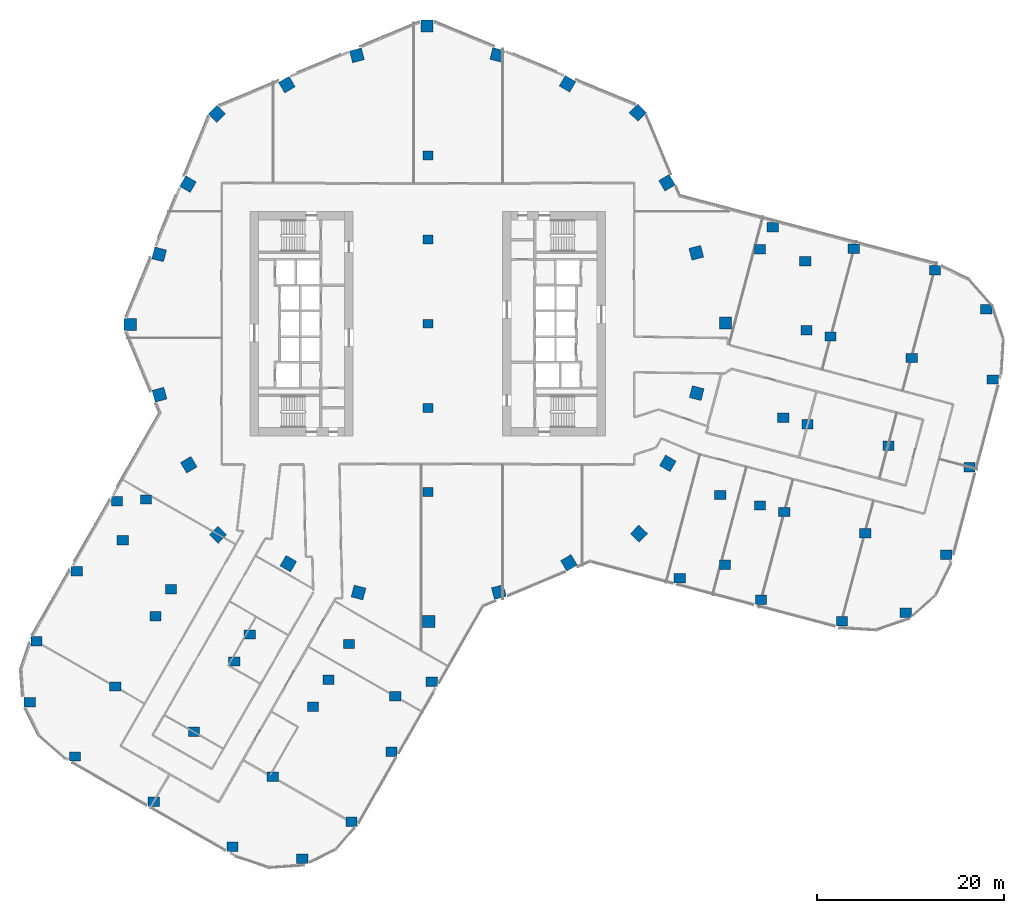
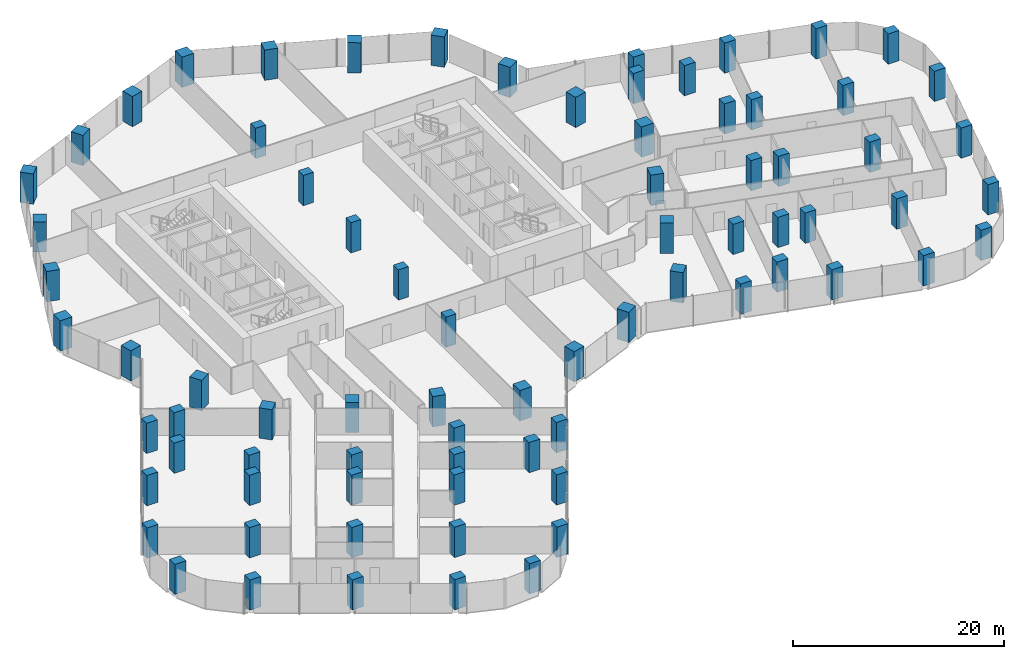
# One storey, part 1 of 34: 77 columns.
"""IFC4 building model written with IfcOpenShell, lengths in metres."""

from ifc_helpers import new_model, si_unit, direction, frame, origin, origin_2d, place, context, subcontext, project, spatial, rectangle, extrude, material, material_profile, profile_set, type_object, element, save


model = new_model("IFC4")

# Units and contexts
model_context = context("Model", 3, precision=1e-05, world=origin(), true_north=direction((0.0, 1.0)))
body_context = subcontext(model_context, "Body", "Model", "MODEL_VIEW")
ifc_project = project(units=[si_unit("LENGTHUNIT", "METRE"), si_unit("AREAUNIT", "SQUARE_METRE"), si_unit("VOLUMEUNIT", "CUBIC_METRE"), si_unit("PLANEANGLEUNIT", "RADIAN"), si_unit("MASSUNIT", "GRAM", prefix="KILO")], contexts=[model_context])

# Site, building, storey
site_placement = place(None, origin())
site = spatial("IfcSite", under=ifc_project, at=site_placement, CompositionType="ELEMENT")
building_placement = place(site_placement, origin())
building = spatial("IfcBuilding", under=site, at=building_placement, Name="Orlundy Tower", CompositionType="ELEMENT")
storey_placement = place(building_placement, frame((0.0, 0.0, 109.199951171875)))
storey = spatial("IfcBuildingStorey", under=building, at=storey_placement, Name="L27", CompositionType="ELEMENT", Elevation=109.199951171875)

# Columns
ifc_material_1 = material(Name="Concrete C80/95", Category="concrete")
ifc_material_profile_1 = material_profile(ifc_material_1, rectangle(XDim=1.10009765625, YDim=0.949951171875, at=origin_2d()), Name="RC1100X950")
ifc_profile_set_1 = profile_set([ifc_material_profile_1], Name="Concrete C80/95")
column_type_1 = type_object("IfcColumnType", Name="RC COLUMN RC1100X950 C80/95", PredefinedType="COLUMN", material=ifc_profile_set_1)
for number, where, z_axis, x_axis, name in (
    (1, (0.0, -18.0, 0.0), (0.0, 0.0, 1.0), (1.0, 0.0, 0.0), "Column C-M1 L27"),
    (2, (0.0, -9.0, 0.0), (0.0, 0.0, 1.0), (1.0, 0.0, 0.0), "Column C-M2 L27"),
    (3, (0.0, 0.0, 0.0), (0.0, 0.0, 1.0), (1.0, 0.0, 0.0), "Column C-M3 L27"),
    (4, (0.0, 9.0, 0.0), (0.0, 0.0, 1.0), (1.0, 0.0, 0.0), "Column C-M4 L27"),
    (5, (0.0, 18.0, 0.0), (0.0, 0.0, 1.0), (1.0, 0.0, 0.0), "Column C-M5 L27"),
):
    element("IfcColumn", number, at=place(storey_placement, frame(where, z_axis=z_axis, x_axis=x_axis)), inside=storey, type_object=column_type_1, Name=name, PredefinedType="COLUMN", context=body_context, shape_type="SweptSolid", body=[
        extrude(rectangle(XDim=1.10009765625, YDim=0.949951171875, at=origin_2d()), origin(), (0.0, 0.0, 1.0), 3.5),
    ])
ifc_material_2 = material(Name="Concrete C80/95", Category="concrete")
ifc_material_profile_2 = material_profile(ifc_material_2, rectangle(XDim=1.199951171875, YDim=1.0, at=origin_2d()), Name="RC1200X1000")
ifc_profile_set_2 = profile_set([ifc_material_profile_2], Name="Concrete C80/95")
column_type_2 = type_object("IfcColumnType", Name="RC COLUMN RC1200X1000 C80/95", PredefinedType="COLUMN", material=ifc_profile_set_2)
for number, where, z_axis, x_axis, name in (
    (6, (26.93408203125, -27.201904296875, 0.0), (0.0, 0.0, 1.0), (1.0, 0.0, 0.0), "Column C-A1-1 L27"),
    (7, (35.60205078125, -29.4970703125, 0.0), (0.0, 0.0, 1.0), (1.0, 0.0, 0.0), "Column C-A1-2 L27"),
    (8, (44.26904296875, -31.79296875, 0.0), (0.0, 0.0, 1.0), (1.0, 0.0, 0.0), "Column C-A1-3 L27"),
    (9, (51.0849609375, -30.90087890625, 0.0), (0.0, 0.0, 1.0), (1.0, 0.0, 0.0), "Column C-A1-5 L27"),
    (10, (31.7509765625, -25.781005859375, 0.0), (0.0, 0.0, 1.0), (1.0, 0.0, 0.0), "Column C-A1-6 L27"),
    (11, (38.0849609375, -20.12109375, 0.0), (0.0, 0.0, 1.0), (1.0, 0.0, 0.0), "Column C-A2-2 L27"),
    (12, (46.7529296875, -22.416015625, 0.0), (0.0, 0.0, 1.0), (1.0, 0.0, 0.0), "Column C-A2-3 L27"),
    (13, (55.4208984375, -24.7119140625, 0.0), (0.0, 0.0, 1.0), (1.0, 0.0, 0.0), "Column C-A2-5 L27"),
    (14, (35.507080078125, -19.43798828125, 0.0), (0.0, 0.0, 1.0), (1.0, 0.0, 0.0), "Column C-A2-6 L27"),
    (15, (31.25390625, -18.31103515625, 0.0), (0.0, 0.0, 1.0), (1.0, 0.0, 0.0), "Column C-A2-7 L27"),
    (16, (40.568115234375, -10.743896484375, 0.0), (0.0, 0.0, 1.0), (1.0, 0.0, 0.0), "Column C-A3-2 L27"),
    (17, (49.236083984375, -13.0390625, 0.0), (0.0, 0.0, 1.0), (1.0, 0.0, 0.0), "Column C-A3-3 L27"),
    (18, (57.904052734375, -15.3349609375, 0.0), (0.0, 0.0, 1.0), (1.0, 0.0, 0.0), "Column C-A3-5 L27"),
    (19, (37.989990234375, -10.06103515625, 0.0), (0.0, 0.0, 1.0), (1.0, 0.0, 0.0), "Column C-A3-6 L27"),
    (20, (43.051025390625, -1.366943359375, 0.0), (0.0, 0.0, 1.0), (1.0, 0.0, 0.0), "Column C-A4-2 L27"),
    (21, (51.718994140625, -3.6630859375, 0.0), (0.0, 0.0, 1.0), (1.0, 0.0, 0.0), "Column C-A4-3 L27"),
    (22, (60.386962890625, -5.9580078125, 0.0), (0.0, 0.0, 1.0), (1.0, 0.0, 0.0), "Column C-A4-5 L27"),
    (23, (40.47412109375, -0.68408203125, 0.0), (0.0, 0.0, 1.0), (1.0, 0.0, 0.0), "Column C-A4-6 L27"),
    (24, (36.866943359375, 10.304931640625, 0.0), (0.0, 0.0, 1.0), (1.0, 0.0, 0.0), "Column C-A5-1 L27"),
    (25, (45.534912109375, 8.010009765625, 0.0), (0.0, 0.0, 1.0), (1.0, 0.0, 0.0), "Column C-A5-2 L27"),
    (26, (54.202880859375, 5.714111328125, 0.0), (0.0, 0.0, 1.0), (1.0, 0.0, 0.0), "Column C-A5-3 L27"),
    (27, (59.68310546875, 1.56591796875, 0.0), (0.0, 0.0, 1.0), (1.0, 0.0, 0.0), "Column C-A5-5 L27"),
    (28, (40.35009765625, 6.68603515625, 0.0), (0.0, 0.0, 1.0), (1.0, 0.0, 0.0), "Column C-A5-6 L27"),
    (29, (35.51611328125, 7.966064453125, 0.0), (0.0, 0.0, 1.0), (1.0, 0.0, 0.0), "Column C-A5-7 L27"),
    (30, (-33.24609375, -18.97607421875, 0.0), (0.0, 0.0, 1.0), (1.0, 0.0, 0.0), "Column C-B1-1 L27"),
    (31, (-37.541015625, -26.465087890625, 0.0), (0.0, 0.0, 1.0), (1.0, 0.0, 0.0), "Column C-B1-2 L27"),
    (32, (-41.83203125, -33.9560546875, 0.0), (0.0, 0.0, 1.0), (1.0, 0.0, 0.0), "Column C-B1-3 L27"),
    (33, (-42.572021484375, -40.47900390625, 0.0), (0.0, 0.0, 1.0), (1.0, 0.0, 0.0), "Column C-B1-5 L27"),
    (34, (-32.623046875, -23.12890625, 0.0), (0.0, 0.0, 1.0), (1.0, 0.0, 0.0), "Column C-B1-6 L27"),
    (35, (-30.135009765625, -18.7919921875, 0.0), (0.0, 0.0, 1.0), (1.0, 0.0, 0.0), "Column C-B1-7 L27"),
    (36, (-29.1259765625, -31.2900390625, 0.0), (0.0, 0.0, 1.0), (1.0, 0.0, 0.0), "Column C-B2-2 L27"),
    (37, (-33.4208984375, -38.780029296875, 0.0), (0.0, 0.0, 1.0), (1.0, 0.0, 0.0), "Column C-B2-3 L27"),
    (38, (-37.716064453125, -46.26904296875, 0.0), (0.0, 0.0, 1.0), (1.0, 0.0, 0.0), "Column C-B2-5 L27"),
    (39, (-27.468017578125, -28.39892578125, 0.0), (0.0, 0.0, 1.0), (1.0, 0.0, 0.0), "Column C-B2-6 L27"),
    (40, (-20.7119140625, -36.115966796875, 0.0), (0.0, 0.0, 1.0), (1.0, 0.0, 0.0), "Column C-B3-2 L27"),
    (41, (-25.007080078125, -43.60498046875, 0.0), (0.0, 0.0, 1.0), (1.0, 0.0, 0.0), "Column C-B3-3 L27"),
    (42, (-29.301025390625, -51.093994140625, 0.0), (0.0, 0.0, 1.0), (1.0, 0.0, 0.0), "Column C-B3-5 L27"),
    (43, (-19.052978515625, -33.22412109375, 0.0), (0.0, 0.0, 1.0), (1.0, 0.0, 0.0), "Column C-B3-6 L27"),
    (44, (-12.297119140625, -40.94091796875, 0.0), (0.0, 0.0, 1.0), (1.0, 0.0, 0.0), "Column C-B4-2 L27"),
    (45, (-16.592041015625, -48.430908203125, 0.0), (0.0, 0.0, 1.0), (1.0, 0.0, 0.0), "Column C-B4-3 L27"),
    (46, (-20.886962890625, -55.919921875, 0.0), (0.0, 0.0, 1.0), (1.0, 0.0, 0.0), "Column C-B4-5 L27"),
    (47, (-10.638916015625, -38.050048828125, 0.0), (0.0, 0.0, 1.0), (1.0, 0.0, 0.0), "Column C-B4-6 L27"),
    (48, (-8.449951171875, -34.23291015625, 0.0), (0.0, 0.0, 1.0), (1.0, 0.0, 0.0), "Column C-B4-7 L27"),
    (49, (0.412109375, -38.278076171875, 0.0), (0.0, 0.0, 1.0), (1.0, 0.0, 0.0), "Column C-B5-1 L27"),
    (50, (-3.883056640625, -45.76708984375, 0.0), (0.0, 0.0, 1.0), (1.0, 0.0, 0.0), "Column C-B5-2 L27"),
    (51, (-8.180908203125, -53.25390625, 0.0), (0.0, 0.0, 1.0), (1.0, 0.0, 0.0), "Column C-B5-3 L27"),
    (52, (-13.43701171875, -57.18701171875, 0.0), (0.0, 0.0, 1.0), (1.0, 0.0, 0.0), "Column C-B5-5 L27"),
    (53, (-3.487060546875, -39.837890625, 0.0), (0.0, 0.0, 1.0), (1.0, 0.0, 0.0), "Column C-B5-6 L27"),
):
    element("IfcColumn", number, at=place(storey_placement, frame(where, z_axis=z_axis, x_axis=x_axis)), inside=storey, type_object=column_type_2, Name=name, PredefinedType="COLUMN", context=body_context, shape_type="SweptSolid", body=[
        extrude(rectangle(XDim=1.199951171875, YDim=1.0, at=origin_2d()), origin(), (0.0, 0.0, 1.0), 3.5),
    ])
ifc_material_3 = material(Name="Concrete C80/95", Category="concrete")
ifc_material_profile_3 = material_profile(ifc_material_3, rectangle(XDim=1.300048828125, YDim=1.300048828125, at=origin_2d()), Name="RC1300X1300")
ifc_profile_set_3 = profile_set([ifc_material_profile_3], Name="Concrete C80/95")
column_type_3 = type_object("IfcColumnType", Name="RC COLUMN RC1300X1300 C80/95", PredefinedType="COLUMN", material=ifc_profile_set_3)
for number, where, z_axis, x_axis, name in (
    (54, (22.43603515625, 22.56689453125, 0.0), (0.0, 0.0, 1.0), (0.705042776473, 0.709164778696, 0.0), "Column C-H01 L27"),
    (55, (25.56494140625, 15.075927734375, 0.0), (0.0, 0.0, 1.0), (0.86138102753, 0.507959373781, 0.0), "Column C-H02 L27"),
    (56, (28.694091796875, 7.583984375, 0.0), (0.0, 0.0, 1.0), (0.966801093075, 0.25553012822, 0.0), "Column C-H03 L27"),
    (57, (31.822021484375, 0.093017578125, 0.0), (0.0, 0.0, 1.0), (0.999995752265, 0.002914695724, 0.0), "Column C-H04 L27"),
    (58, (28.737060546875, -7.4169921875, 0.0), (0.0, 0.0, 1.0), (0.968269883519, -0.249906847984, 0.0), "Column C-H05 L27"),
    (59, (25.652099609375, -14.927001953125, 0.0), (0.0, 0.0, 1.0), (0.864318695434, -0.50294452251, 0.0), "Column C-H06 L27"),
    (60, (22.56689453125, -22.43603515625, 0.0), (0.0, 0.0, 1.0), (0.709164778696, -0.705042776473, 0.0), "Column C-H07 L27"),
    (61, (15.075927734375, -25.56494140625, 0.0), (0.0, 0.0, 1.0), (0.507959373781, -0.86138102753, 0.0), "Column C-H08 L27"),
    (62, (7.583984375, -28.694091796875, 0.0), (0.0, 0.0, 1.0), (0.25553012822, -0.966801093075, 0.0), "Column C-H09 L27"),
    (63, (0.093017578125, -31.822021484375, 0.0), (0.0, 0.0, 1.0), (0.002914695724, -0.999995752265, 0.0), "Column C-H10 L27"),
    (64, (-7.4169921875, -28.737060546875, 0.0), (0.0, 0.0, 1.0), (-0.249906847984, -0.968269883519, 0.0), "Column C-H11 L27"),
    (65, (-14.927001953125, -25.652099609375, 0.0), (0.0, 0.0, 1.0), (-0.50294452251, -0.864318695434, 0.0), "Column C-H12 L27"),
    (66, (-22.43603515625, -22.56689453125, 0.0), (0.0, 0.0, 1.0), (-0.705042776473, -0.709164778696, 0.0), "Column C-H13 L27"),
    (67, (-25.56494140625, -15.075927734375, 0.0), (0.0, 0.0, 1.0), (-0.86138102753, -0.507959373781, 0.0), "Column C-H14 L27"),
    (68, (-28.694091796875, -7.583984375, 0.0), (0.0, 0.0, 1.0), (-0.966801093075, -0.25553012822, 0.0), "Column C-H15 L27"),
    (69, (-31.822021484375, -0.093017578125, 0.0), (0.0, 0.0, 1.0), (-0.999995752265, -0.002914695724, 0.0), "Column C-H16 L27"),
    (70, (-28.737060546875, 7.4169921875, 0.0), (0.0, 0.0, 1.0), (-0.968269883519, 0.249906847984, 0.0), "Column C-H17 L27"),
    (71, (-25.652099609375, 14.927001953125, 0.0), (0.0, 0.0, 1.0), (-0.864318695434, 0.50294452251, 0.0), "Column C-H18 L27"),
    (72, (-22.56689453125, 22.43603515625, 0.0), (0.0, 0.0, 1.0), (-0.709164778696, 0.705042776473, 0.0), "Column C-H19 L27"),
    (73, (-15.075927734375, 25.56494140625, 0.0), (0.0, 0.0, 1.0), (-0.507959373781, 0.86138102753, 0.0), "Column C-H20 L27"),
    (74, (-7.583984375, 28.694091796875, 0.0), (0.0, 0.0, 1.0), (-0.25553012822, 0.966801093075, 0.0), "Column C-H21 L27"),
    (75, (-0.093017578125, 31.822021484375, 0.0), (0.0, 0.0, 1.0), (-0.002914695724, 0.999995752265, 0.0), "Column C-H22 L27"),
    (76, (7.4169921875, 28.737060546875, 0.0), (0.0, 0.0, 1.0), (0.249906847984, 0.968269883519, 0.0), "Column C-H23 L27"),
    (77, (14.927001953125, 25.652099609375, 0.0), (0.0, 0.0, 1.0), (0.50294452251, 0.864318695434, 0.0), "Column C-H24 L27"),
):
    element("IfcColumn", number, at=place(storey_placement, frame(where, z_axis=z_axis, x_axis=x_axis)), inside=storey, type_object=column_type_3, Name=name, PredefinedType="COLUMN", context=body_context, shape_type="SweptSolid", body=[
        extrude(rectangle(XDim=1.300048828125, YDim=1.300048828125, at=origin_2d()), origin(), (0.0, 0.0, 1.0), 3.5),
    ])

save(model, "model.ifc")
